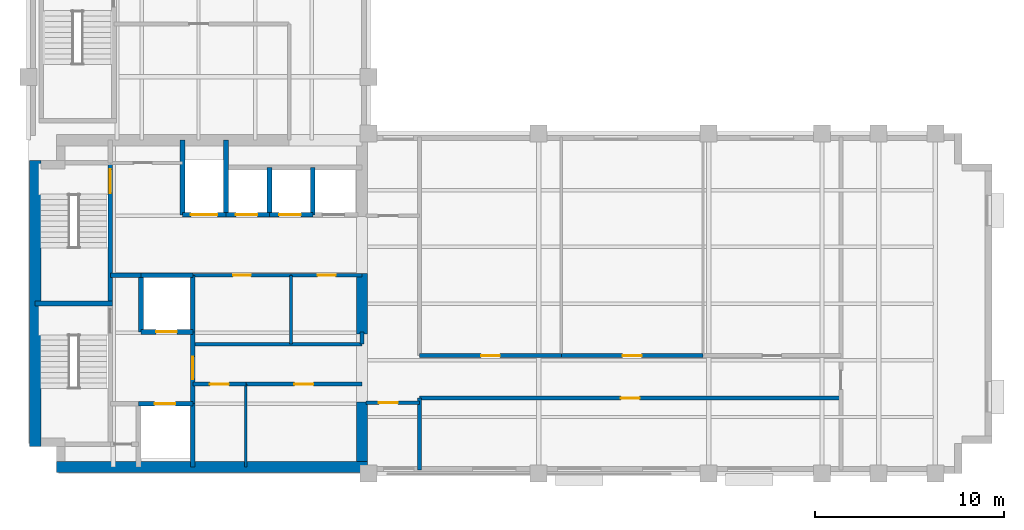
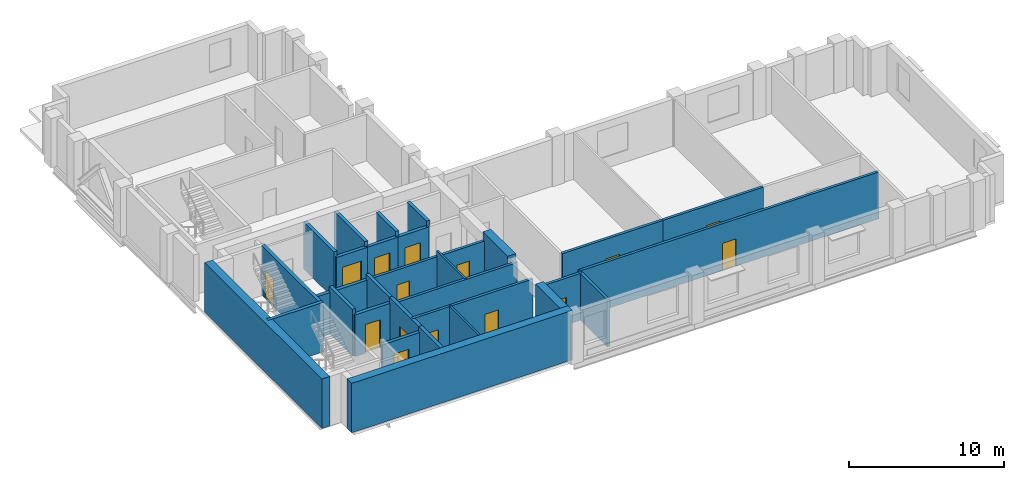
# One storey, part 3 of 6: 34 walls, 15 doors, 15 openings.
"""IFC4 building model written with IfcOpenShell, lengths in metres."""

from ifc_helpers import new_model, si_unit, direction, frame, frame_2d, origin, place, context, subcontext, project, spatial, rectangle, extrude, material, layer, layer_set, type_object, element, fill, save


model = new_model("IFC4")

# Units and contexts
model_context = context("Model", 3, precision=1e-05, world=origin(), true_north=direction((0.0, 1.0)))
body_context = subcontext(model_context, "Body", "Model", "MODEL_VIEW")
ifc_project = project(units=[si_unit("LENGTHUNIT", "METRE"), si_unit("AREAUNIT", "SQUARE_METRE"), si_unit("VOLUMEUNIT", "CUBIC_METRE"), si_unit("PLANEANGLEUNIT", "RADIAN"), si_unit("MASSUNIT", "GRAM", prefix="KILO")], contexts=[model_context])

# Site, building, storey
site_placement = place(None, origin())
site = spatial("IfcSite", under=ifc_project, at=site_placement, CompositionType="ELEMENT")
building_placement = place(site_placement, origin())
building = spatial("IfcBuilding", under=site, at=building_placement, Name="Mawjdan Bourse Tower", CompositionType="ELEMENT")
storey_placement = place(building_placement, frame((0.0, 0.0, 199.5)))
storey = spatial("IfcBuildingStorey", under=building, at=storey_placement, Name="L48", CompositionType="ELEMENT", Elevation=199.5)

# Wall, opening, door
ifc_material_1 = material(Name="Gypsum Fireboard Assembly")
ifc_layer_1 = layer(ifc_material_1, 0.199951171875)
ifc_layer_set_1 = layer_set([ifc_layer_1], Name="Gypsum Fireboard Assembly")
wall_type_1 = type_object("IfcWallType", Name="WL-CMP-200", PredefinedType="PARTITIONING", material=ifc_layer_set_1)
wall_1_placement = place(storey_placement, frame((14.699951171875, 7.739990234375, 0.0), z_axis=(0.0, 0.0, 1.0), x_axis=(1.0, 0.0, 0.0)))
wall_1 = element("IfcWall", 1, at=wall_1_placement, inside=storey, type_object=wall_type_1, Name="L48 First Aid & Wellness Room North Wall", PredefinedType="PARTITIONING", context=body_context, shape_type="SweptSolid", body=[
    extrude(rectangle(XDim=2.800048828125, YDim=0.199951171875, at=frame_2d((1.39990234375, 0.0))), origin(), (0.0, 0.0, 1.0), 3.68994140625),
])
opening_1_placement = place(wall_1_placement, frame((0.89990234375, 0.0, 0.0)))
opening_1 = element("IfcOpeningElement", 2, at=opening_1_placement, cuts=wall_1, Name="Opening D-L48-13", PredefinedType="OPENING", context=body_context, shape_type="SweptSolid", body=[
    extrude(rectangle(XDim=1.0, YDim=2.14990234375, at=frame_2d((0.5, 1.074951171875))), frame((0.0, 0.10986328125, 0.0), z_axis=(0.0, -1.0, 0.0), x_axis=(1.0, 0.0, 0.0)), (0.0, 0.0, 1.0), 0.219970703125),
])
ifc_material_2 = material(Name="Hardwood Acoustic Leaf", Category="wood")
door_type_1 = type_object("IfcDoorType", Name="DR-OFC-1000", OperationType="NOTDEFINED", PredefinedType="DOOR", material=ifc_material_2)
door_1_placement = place(opening_1_placement, origin())
door_1 = element("IfcDoor", 3, at=door_1_placement, inside=storey, type_object=door_type_1, Name="L48 First Aid & Wellness Room Door D-L48-13", OperationType="SINGLE_SWING_LEFT", OverallHeight=2.14990234375, OverallWidth=1.0, PredefinedType="DOOR", context=body_context, shape_type="SweptSolid", body=[
    extrude(rectangle(XDim=1.0, YDim=2.14990234375, at=frame_2d((0.5, 1.074951171875))), frame((0.0, 0.02490234375, 0.0), z_axis=(0.0, -1.0, 0.0), x_axis=(1.0, 0.0, 0.0)), (0.0, 0.0, 1.0), 0.050048828125),
])
fill(opening_1, door_1)

wall_2_placement = place(storey_placement, frame((17.5, 7.739990234375, 0.0), z_axis=(0.0, 0.0, 1.0), x_axis=(1.0, 0.0, 0.0)))
wall_2 = element("IfcWall", 4, at=wall_2_placement, inside=storey, type_object=wall_type_1, Name="L48 Reprographics & Pantry Suite North Wall", PredefinedType="PARTITIONING", context=body_context, shape_type="SweptSolid", body=[
    extrude(rectangle(XDim=6.14990234375, YDim=0.199951171875, at=frame_2d((3.074951171875, 0.0))), origin(), (0.0, 0.0, 1.0), 3.68994140625),
])
opening_2_placement = place(wall_2_placement, frame((2.574951171875, 0.0, 0.0)))
opening_2 = element("IfcOpeningElement", 5, at=opening_2_placement, cuts=wall_2, Name="Opening D-L48-14", PredefinedType="OPENING", context=body_context, shape_type="SweptSolid", body=[
    extrude(rectangle(XDim=1.0, YDim=2.14990234375, at=frame_2d((0.5, 1.074951171875))), frame((0.0, 0.10986328125, 0.0), z_axis=(0.0, -1.0, 0.0), x_axis=(1.0, 0.0, 0.0)), (0.0, 0.0, 1.0), 0.219970703125),
])
door_2_placement = place(opening_2_placement, origin())
door_2 = element("IfcDoor", 6, at=door_2_placement, inside=storey, type_object=door_type_1, Name="L48 Reprographics & Pantry Suite Door D-L48-14", OperationType="SINGLE_SWING_RIGHT", OverallHeight=2.14990234375, OverallWidth=1.0, PredefinedType="DOOR", context=body_context, shape_type="SweptSolid", body=[
    extrude(rectangle(XDim=1.0, YDim=2.14990234375, at=frame_2d((0.5, 1.074951171875))), frame((0.0, 0.02490234375, 0.0), z_axis=(0.0, -1.0, 0.0), x_axis=(1.0, 0.0, 0.0)), (0.0, 0.0, 1.0), 0.050048828125),
])
fill(opening_2, door_2)

# Walls
wall_3_placement = place(storey_placement, frame((14.824951171875, 9.85009765625, 0.0), z_axis=(0.0, 0.0, 1.0), x_axis=(1.0, 0.0, 0.0)))
element("IfcWall", 7, at=wall_3_placement, inside=storey, type_object=wall_type_1, Name="L48 Core Restroom Suite South Wall", PredefinedType="PARTITIONING", context=body_context, shape_type="SweptSolid", body=[
    extrude(rectangle(XDim=8.824951171875, YDim=0.199951171875, at=frame_2d((4.41259765625, 0.0))), origin(), (0.0, 0.0, 1.0), 3.68994140625),
])
wall_4_placement = place(storey_placement, frame((23.64990234375, 9.85009765625, 0.0), z_axis=(0.0, 0.0, 1.0), x_axis=(0.0, 1.0, 0.0)))
element("IfcWall", 8, at=wall_4_placement, inside=storey, type_object=wall_type_1, Name="L48 Core Restroom East Return", PredefinedType="PARTITIONING", context=body_context, shape_type="SweptSolid", body=[
    extrude(rectangle(XDim=0.64990234375, YDim=0.199951171875, at=frame_2d((0.324951171875, 0.0))), origin(), (0.0, 0.0, 1.0), 3.68994140625),
])

# Wall, opening, door
wall_5_placement = place(storey_placement, frame((14.699951171875, 13.5, 0.0), z_axis=(0.0, 0.0, 1.0), x_axis=(1.0, 0.0, 0.0)))
wall_5 = element("IfcWall", 9, at=wall_5_placement, inside=storey, type_object=wall_type_1, Name="L48 Male Restroom North Wall", PredefinedType="PARTITIONING", context=body_context, shape_type="SweptSolid", body=[
    extrude(rectangle(XDim=5.199951171875, YDim=0.199951171875, at=frame_2d((2.60009765625, 0.0))), origin(), (0.0, 0.0, 1.0), 3.282958984375),
])
opening_3_placement = place(wall_5_placement, frame((2.125, 0.0, 0.0)))
opening_3 = element("IfcOpeningElement", 10, at=opening_3_placement, cuts=wall_5, Name="Opening D-L48-15", PredefinedType="OPENING", context=body_context, shape_type="SweptSolid", body=[
    extrude(rectangle(XDim=0.949951171875, YDim=2.10009765625, at=frame_2d((0.47509765625, 1.050048828125))), frame((0.0, 0.10986328125, 0.0), z_axis=(0.0, -1.0, 0.0), x_axis=(1.0, 0.0, 0.0)), (0.0, 0.0, 1.0), 0.219970703125),
])
ifc_material_3 = material(Name="Moisture-Resistant Laminate Timber", Category="wood")
door_type_2 = type_object("IfcDoorType", Name="DR-WET-0950", OperationType="NOTDEFINED", PredefinedType="DOOR", material=ifc_material_3)
door_3_placement = place(opening_3_placement, origin())
door_3 = element("IfcDoor", 11, at=door_3_placement, inside=storey, type_object=door_type_2, Name="L48 Male Restroom Door D-L48-15", OperationType="SINGLE_SWING_LEFT", OverallHeight=2.10009765625, OverallWidth=0.949951171875, PredefinedType="DOOR", context=body_context, shape_type="SweptSolid", body=[
    extrude(rectangle(XDim=0.949951171875, YDim=2.10009765625, at=frame_2d((0.47509765625, 1.050048828125))), frame((0.0, 0.02490234375, 0.0), z_axis=(0.0, -1.0, 0.0), x_axis=(1.0, 0.0, 0.0)), (0.0, 0.0, 1.0), 0.050048828125),
])
fill(opening_3, door_3)

wall_6_placement = place(storey_placement, frame((19.89990234375, 13.5, 0.0), z_axis=(0.0, 0.0, 1.0), x_axis=(1.0, 0.0, 0.0)))
wall_6 = element("IfcWall", 12, at=wall_6_placement, inside=storey, type_object=wall_type_1, Name="L48 Accessible WC North Wall", PredefinedType="PARTITIONING", context=body_context, shape_type="SweptSolid", body=[
    extrude(rectangle(XDim=3.75, YDim=0.199951171875, at=frame_2d((1.875, 0.0))), origin(), (0.0, 0.0, 1.0), 3.282958984375),
])
opening_4_placement = place(wall_6_placement, frame((1.39990234375, 0.0, 0.0)))
opening_4 = element("IfcOpeningElement", 13, at=opening_4_placement, cuts=wall_6, Name="Opening D-L48-16", PredefinedType="OPENING", context=body_context, shape_type="SweptSolid", body=[
    extrude(rectangle(XDim=0.949951171875, YDim=2.10009765625, at=frame_2d((0.47509765625, 1.050048828125))), frame((0.0, 0.10986328125, 0.0), z_axis=(0.0, -1.0, 0.0), x_axis=(1.0, 0.0, 0.0)), (0.0, 0.0, 1.0), 0.219970703125),
])
door_4_placement = place(opening_4_placement, origin())
door_4 = element("IfcDoor", 14, at=door_4_placement, inside=storey, type_object=door_type_2, Name="L48 Accessible WC Door D-L48-16", OperationType="SINGLE_SWING_RIGHT", OverallHeight=2.10009765625, OverallWidth=0.949951171875, PredefinedType="DOOR", context=body_context, shape_type="SweptSolid", body=[
    extrude(rectangle(XDim=0.949951171875, YDim=2.10009765625, at=frame_2d((0.47509765625, 1.050048828125))), frame((0.0, 0.02490234375, 0.0), z_axis=(0.0, -1.0, 0.0), x_axis=(1.0, 0.0, 0.0)), (0.0, 0.0, 1.0), 0.050048828125),
])
fill(opening_4, door_4)

wall_7_placement = place(storey_placement, frame((23.85009765625, 6.75, 0.0), z_axis=(0.0, 0.0, 1.0), x_axis=(1.0, 0.0, 0.0)))
wall_7 = element("IfcWall", 15, at=wall_7_placement, inside=storey, type_object=wall_type_1, Name="L48 West Pocket North Wall", PredefinedType="PARTITIONING", context=body_context, shape_type="SweptSolid", body=[
    extrude(rectangle(XDim=2.849853515625, YDim=0.199951171875, at=frame_2d((1.4248046875, 0.0))), origin(), (0.0, 0.0, 1.0), 3.68994140625),
])
opening_5_placement = place(wall_7_placement, frame((0.699951171875, 0.0, 0.0)))
opening_5 = element("IfcOpeningElement", 16, at=opening_5_placement, cuts=wall_7, Name="Opening D-L48-19", PredefinedType="OPENING", context=body_context, shape_type="SweptSolid", body=[
    extrude(rectangle(XDim=1.0, YDim=2.14990234375, at=frame_2d((0.5, 1.074951171875))), frame((0.0, 0.10986328125, 0.0), z_axis=(0.0, -1.0, 0.0), x_axis=(1.0, 0.0, 0.0)), (0.0, 0.0, 1.0), 0.219970703125),
])
door_5_placement = place(opening_5_placement, origin())
door_5 = element("IfcDoor", 17, at=door_5_placement, inside=storey, type_object=door_type_1, Name="L48 West Pocket Office Door D-L48-19", OperationType="SINGLE_SWING_LEFT", OverallHeight=2.14990234375, OverallWidth=1.0, PredefinedType="DOOR", context=body_context, shape_type="SweptSolid", body=[
    extrude(rectangle(XDim=1.0, YDim=2.14990234375, at=frame_2d((0.5, 1.074951171875))), frame((0.0, 0.02490234375, 0.0), z_axis=(0.0, -1.0, 0.0), x_axis=(1.0, 0.0, 0.0)), (0.0, 0.0, 1.0), 0.050048828125),
])
fill(opening_5, door_5)

# Wall
wall_8_placement = place(storey_placement, frame((26.699951171875, 3.179931640625, 0.0), z_axis=(0.0, 0.0, 1.0), x_axis=(0.0, 1.0, 0.0)))
element("IfcWall", 18, at=wall_8_placement, inside=storey, type_object=wall_type_1, Name="L48 Vestibule South East Wall", PredefinedType="PARTITIONING", context=body_context, shape_type="SweptSolid", body=[
    extrude(rectangle(XDim=3.820068359375, YDim=0.199951171875, at=frame_2d((1.91015625, 0.0))), origin(), (0.0, 0.0, 1.0), 3.68994140625),
])

# Wall, opening, door
wall_9_placement = place(storey_placement, frame((26.699951171875, 7.0, 0.0), z_axis=(0.0, 0.0, 1.0), x_axis=(1.0, 0.0, 0.0)))
wall_9 = element("IfcWall", 19, at=wall_9_placement, inside=storey, type_object=wall_type_1, Name="L48 Document Archive Store Corridor Wall", PredefinedType="PARTITIONING", context=body_context, shape_type="SweptSolid", body=[
    extrude(rectangle(XDim=22.300048828125, YDim=0.199951171875, at=frame_2d((11.14990234375, 0.0))), origin(), (0.0, 0.0, 1.0), 3.68994140625),
])
opening_6_placement = place(wall_9_placement, frame((10.64990234375, 0.0, 0.0)))
opening_6 = element("IfcOpeningElement", 20, at=opening_6_placement, cuts=wall_9, Name="Opening D-L48-21", PredefinedType="OPENING", context=body_context, shape_type="SweptSolid", body=[
    extrude(rectangle(XDim=1.0, YDim=2.14990234375, at=frame_2d((0.5, 1.074951171875))), frame((0.0, 0.10986328125, 0.0), z_axis=(0.0, -1.0, 0.0), x_axis=(1.0, 0.0, 0.0)), (0.0, 0.0, 1.0), 0.219970703125),
])
door_6_placement = place(opening_6_placement, origin())
door_6 = element("IfcDoor", 21, at=door_6_placement, inside=storey, type_object=door_type_1, Name="L48 Document Archive Store Door D-L48-21", OperationType="SINGLE_SWING_LEFT", OverallHeight=2.14990234375, OverallWidth=1.0, PredefinedType="DOOR", context=body_context, shape_type="SweptSolid", body=[
    extrude(rectangle(XDim=1.0, YDim=2.14990234375, at=frame_2d((0.5, 1.074951171875))), frame((0.0, 0.02490234375, 0.0), z_axis=(0.0, -1.0, 0.0), x_axis=(1.0, 0.0, 0.0)), (0.0, 0.0, 1.0), 0.050048828125),
])
fill(opening_6, door_6)

wall_10_placement = place(storey_placement, frame((26.699951171875, 9.25, 0.0), z_axis=(0.0, 0.0, 1.0), x_axis=(1.0, 0.0, 0.0)))
wall_10 = element("IfcWall", 22, at=wall_10_placement, inside=storey, type_object=wall_type_1, Name="L48 Executive Office Corridor Wall", PredefinedType="PARTITIONING", context=body_context, shape_type="SweptSolid", body=[
    extrude(rectangle(XDim=7.5, YDim=0.199951171875, at=frame_2d((3.75, 0.0))), origin(), (0.0, 0.0, 1.0), 3.68994140625),
])
opening_7_placement = place(wall_10_placement, frame((3.25, 0.0, 0.0)))
opening_7 = element("IfcOpeningElement", 23, at=opening_7_placement, cuts=wall_10, Name="Opening D-L48-22", PredefinedType="OPENING", context=body_context, shape_type="SweptSolid", body=[
    extrude(rectangle(XDim=1.0, YDim=2.14990234375, at=frame_2d((0.5, 1.074951171875))), frame((0.0, 0.10986328125, 0.0), z_axis=(0.0, -1.0, 0.0), x_axis=(1.0, 0.0, 0.0)), (0.0, 0.0, 1.0), 0.219970703125),
])
door_7_placement = place(opening_7_placement, origin())
door_7 = element("IfcDoor", 24, at=door_7_placement, inside=storey, type_object=door_type_1, Name="L48 Executive Office Door D-L48-22", OperationType="SINGLE_SWING_RIGHT", OverallHeight=2.14990234375, OverallWidth=1.0, PredefinedType="DOOR", context=body_context, shape_type="SweptSolid", body=[
    extrude(rectangle(XDim=1.0, YDim=2.14990234375, at=frame_2d((0.5, 1.074951171875))), frame((0.0, 0.02490234375, 0.0), z_axis=(0.0, -1.0, 0.0), x_axis=(1.0, 0.0, 0.0)), (0.0, 0.0, 1.0), 0.050048828125),
])
fill(opening_7, door_7)

wall_11_placement = place(storey_placement, frame((34.199951171875, 9.25, 0.0), z_axis=(0.0, 0.0, 1.0), x_axis=(1.0, 0.0, 0.0)))
wall_11 = element("IfcWall", 25, at=wall_11_placement, inside=storey, type_object=wall_type_1, Name="L48 Treasury Office Corridor Wall", PredefinedType="PARTITIONING", context=body_context, shape_type="SweptSolid", body=[
    extrude(rectangle(XDim=7.5, YDim=0.199951171875, at=frame_2d((3.75, 0.0))), origin(), (0.0, 0.0, 1.0), 3.68994140625),
])
opening_8_placement = place(wall_11_placement, frame((3.25, 0.0, 0.0)))
opening_8 = element("IfcOpeningElement", 26, at=opening_8_placement, cuts=wall_11, Name="Opening D-L48-23", PredefinedType="OPENING", context=body_context, shape_type="SweptSolid", body=[
    extrude(rectangle(XDim=1.0, YDim=2.14990234375, at=frame_2d((0.5, 1.074951171875))), frame((0.0, 0.10986328125, 0.0), z_axis=(0.0, -1.0, 0.0), x_axis=(1.0, 0.0, 0.0)), (0.0, 0.0, 1.0), 0.219970703125),
])
door_8_placement = place(opening_8_placement, origin())
door_8 = element("IfcDoor", 27, at=door_8_placement, inside=storey, type_object=door_type_1, Name="L48 Treasury Office Door D-L48-23", OperationType="SINGLE_SWING_LEFT", OverallHeight=2.14990234375, OverallWidth=1.0, PredefinedType="DOOR", context=body_context, shape_type="SweptSolid", body=[
    extrude(rectangle(XDim=1.0, YDim=2.14990234375, at=frame_2d((0.5, 1.074951171875))), frame((0.0, 0.02490234375, 0.0), z_axis=(0.0, -1.0, 0.0), x_axis=(1.0, 0.0, 0.0)), (0.0, 0.0, 1.0), 0.050048828125),
])
fill(opening_8, door_8)

# Walls
ifc_material_4 = material(Name="Concrete C70/85", Category="concrete")
ifc_layer_2 = layer(ifc_material_4, 0.60009765625)
ifc_layer_set_2 = layer_set([ifc_layer_2], Name="Concrete C70/85")
wall_type_2 = type_object("IfcWallType", Name="WL-CORE-600", PredefinedType="SHEAR", material=ifc_layer_set_2)
wall_12_placement = place(storey_placement, frame((7.47509765625, 3.35009765625, 0.0), z_axis=(0.0, 0.0, 1.0), x_axis=(1.0, 0.0, 0.0)))
element("IfcWall", 28, at=wall_12_placement, inside=storey, type_object=wall_type_2, Name="L48 Rear Core Shear Wall S", PredefinedType="SHEAR", context=body_context, shape_type="SweptSolid", body=[
    extrude(rectangle(XDim=16.474853515625, YDim=0.60009765625, at=frame_2d((8.2373046875, 0.0))), origin(), (0.0, 0.0, 1.0), 3.89990234375),
])
wall_13_placement = place(storey_placement, frame((6.35009765625, 4.425048828125, 0.0), z_axis=(0.0, 0.0, 1.0), x_axis=(0.0, 1.0, 0.0)))
element("IfcWall", 29, at=wall_13_placement, inside=storey, type_object=wall_type_2, Name="L48 Rear Core Shear Wall W", PredefinedType="SHEAR", context=body_context, shape_type="SweptSolid", body=[
    extrude(rectangle(XDim=15.14990234375, YDim=0.60009765625, at=frame_2d((7.574951171875, 0.0))), origin(), (0.0, 0.0, 1.0), 3.89990234375),
])
wall_14_placement = place(storey_placement, frame((23.64990234375, 3.64990234375, 0.0), z_axis=(0.0, 0.0, 1.0), x_axis=(0.0, 1.0, 0.0)))
element("IfcWall", 30, at=wall_14_placement, inside=storey, type_object=wall_type_2, Name="L48 Rear Core Shear Wall E1", PredefinedType="SHEAR", context=body_context, shape_type="SweptSolid", body=[
    extrude(rectangle(XDim=3.150146484375, YDim=0.60009765625, at=frame_2d((1.5751953125, 0.0))), origin(), (0.0, 0.0, 1.0), 3.89990234375),
])
wall_15_placement = place(storey_placement, frame((23.64990234375, 10.39990234375, 0.0), z_axis=(0.0, 0.0, 1.0), x_axis=(0.0, 1.0, 0.0)))
element("IfcWall", 31, at=wall_15_placement, inside=storey, type_object=wall_type_2, Name="L48 Rear Core Shear Wall E2", PredefinedType="SHEAR", context=body_context, shape_type="SweptSolid", body=[
    extrude(rectangle(XDim=3.2001953125, YDim=0.60009765625, at=frame_2d((1.60009765625, 0.0))), origin(), (0.0, 0.0, 1.0), 3.89990234375),
])
ifc_material_5 = material(Name="Gypsum Acoustic Partition")
ifc_layer_3 = layer(ifc_material_5, 0.14990234375)
ifc_layer_set_3 = layer_set([ifc_layer_3], Name="Gypsum Acoustic Partition")
wall_type_3 = type_object("IfcWallType", Name="WL-PRT-150", PredefinedType="PARTITIONING", material=ifc_layer_set_3)
wall_16_placement = place(storey_placement, frame((17.5, 3.35009765625, 0.0), z_axis=(0.0, 0.0, 1.0), x_axis=(0.0, 1.0, 0.0)))
element("IfcWall", 32, at=wall_16_placement, inside=storey, type_object=wall_type_3, Name="L48 Reprographics & Pantry Suite Core Split Wall", PredefinedType="PARTITIONING", context=body_context, shape_type="SweptSolid", body=[
    extrude(rectangle(XDim=4.389892578125, YDim=0.14990234375, at=frame_2d((2.19482421875, 0.0))), origin(), (0.0, 0.0, 1.0), 3.68994140625),
])
wall_17_placement = place(storey_placement, frame((19.89990234375, 9.85009765625, 0.0), z_axis=(0.0, 0.0, 1.0), x_axis=(0.0, 1.0, 0.0)))
element("IfcWall", 33, at=wall_17_placement, inside=storey, type_object=wall_type_3, Name="L48 Accessible WC Split Wall", PredefinedType="PARTITIONING", context=body_context, shape_type="SweptSolid", body=[
    extrude(rectangle(XDim=3.64990234375, YDim=0.14990234375, at=frame_2d((1.824951171875, 0.0))), origin(), (0.0, 0.0, 1.0), 3.68994140625),
])

# Wall, opening, door
ifc_material_6 = material(Name="Concrete C50/60", Category="concrete")
ifc_layer_4 = layer(ifc_material_6, 0.25)
ifc_layer_set_4 = layer_set([ifc_layer_4], Name="Concrete C50/60")
wall_type_4 = type_object("IfcWallType", Name="WL-SHFT-250", PredefinedType="PARTITIONING", material=ifc_layer_set_4)
wall_18_placement = place(storey_placement, frame((11.820068359375, 6.699951171875, 0.0), z_axis=(0.0, 0.0, 1.0), x_axis=(1.0, 0.0, 0.0)))
wall_18 = element("IfcWall", 34, at=wall_18_placement, inside=storey, type_object=wall_type_4, Name="L48 FFL-01 Front Shaft Wall", PredefinedType="PARTITIONING", context=body_context, shape_type="SweptSolid", body=[
    extrude(rectangle(XDim=2.8798828125, YDim=0.25, at=frame_2d((1.43994140625, 0.0))), origin(), (0.0, 0.0, 1.0), 3.282958984375),
])
opening_9_placement = place(wall_18_placement, frame((0.85009765625, 0.0, 0.0)))
opening_9 = element("IfcOpeningElement", 35, at=opening_9_placement, cuts=wall_18, Name="Opening LD-L48-05", PredefinedType="OPENING", context=body_context, shape_type="SweptSolid", body=[
    extrude(rectangle(XDim=1.10009765625, YDim=2.25, at=frame_2d((0.550048828125, 1.125))), frame((0.0, 0.135009765625, 0.0), z_axis=(0.0, -1.0, 0.0), x_axis=(1.0, 0.0, 0.0)), (0.0, 0.0, 1.0), 0.27001953125),
])
ifc_material_7 = material(Name="Brushed Stainless Steel", Category="steel")
door_type_3 = type_object("IfcDoorType", Name="LD-FFL-1100", OperationType="DOUBLE_DOOR_SLIDING", PredefinedType="DOOR", material=ifc_material_7)
door_9_placement = place(opening_9_placement, origin())
door_9 = element("IfcDoor", 36, at=door_9_placement, inside=storey, type_object=door_type_3, Name="L48 Firefighting Lift FFL-01 Landing Door LD-L48-05", OperationType="DOUBLE_DOOR_SLIDING", OverallHeight=2.25, OverallWidth=1.10009765625, PredefinedType="DOOR", context=body_context, shape_type="SweptSolid", body=[
    extrude(rectangle(XDim=1.10009765625, YDim=2.25, at=frame_2d((0.550048828125, 1.125))), frame((0.0, 0.02490234375, 0.0), z_axis=(0.0, -1.0, 0.0), x_axis=(1.0, 0.0, 0.0)), (0.0, 0.0, 1.0), 0.050048828125),
])
fill(opening_9, door_9)

# Wall
wall_19_placement = place(storey_placement, frame((14.699951171875, 3.35009765625, 0.0), z_axis=(0.0, 0.0, 1.0), x_axis=(0.0, 1.0, 0.0)))
element("IfcWall", 37, at=wall_19_placement, inside=storey, type_object=wall_type_4, Name="L48 FFL-01 East Shaft Wall", PredefinedType="PARTITIONING", context=body_context, shape_type="SweptSolid", body=[
    extrude(rectangle(XDim=3.349853515625, YDim=0.25, at=frame_2d((1.6748046875, 0.0))), origin(), (0.0, 0.0, 1.0), 3.68994140625),
])

# Wall, opening, door
wall_20_placement = place(storey_placement, frame((11.949951171875, 10.5, 0.0), z_axis=(0.0, 0.0, 1.0), x_axis=(1.0, 0.0, 0.0)))
wall_20 = element("IfcWall", 38, at=wall_20_placement, inside=storey, type_object=wall_type_4, Name="L48 FFL-02 Front Shaft Wall", PredefinedType="PARTITIONING", context=body_context, shape_type="SweptSolid", body=[
    extrude(rectangle(XDim=2.75, YDim=0.25, at=frame_2d((1.375, 0.0))), origin(), (0.0, 0.0, 1.0), 3.282958984375),
])
opening_10_placement = place(wall_20_placement, frame((0.800048828125, 0.0, 0.0)))
opening_10 = element("IfcOpeningElement", 39, at=opening_10_placement, cuts=wall_20, Name="Opening LD-L48-06", PredefinedType="OPENING", context=body_context, shape_type="SweptSolid", body=[
    extrude(rectangle(XDim=1.10009765625, YDim=2.25, at=frame_2d((0.550048828125, 1.125))), frame((0.0, 0.135009765625, 0.0), z_axis=(0.0, -1.0, 0.0), x_axis=(1.0, 0.0, 0.0)), (0.0, 0.0, 1.0), 0.27001953125),
])
door_10_placement = place(opening_10_placement, origin())
door_10 = element("IfcDoor", 40, at=door_10_placement, inside=storey, type_object=door_type_3, Name="L48 Firefighting Lift FFL-02 Landing Door LD-L48-06", OperationType="DOUBLE_DOOR_SLIDING", OverallHeight=2.25, OverallWidth=1.10009765625, PredefinedType="DOOR", context=body_context, shape_type="SweptSolid", body=[
    extrude(rectangle(XDim=1.10009765625, YDim=2.25, at=frame_2d((0.550048828125, 1.125))), frame((0.0, 0.02490234375, 0.0), z_axis=(0.0, -1.0, 0.0), x_axis=(1.0, 0.0, 0.0)), (0.0, 0.0, 1.0), 0.050048828125),
])
fill(opening_10, door_10)

# Walls
wall_21_placement = place(storey_placement, frame((11.949951171875, 10.5, 0.0), z_axis=(0.0, 0.0, 1.0), x_axis=(0.0, 1.0, 0.0)))
element("IfcWall", 41, at=wall_21_placement, inside=storey, type_object=wall_type_4, Name="L48 FFL-02 West Shaft Wall", PredefinedType="PARTITIONING", context=body_context, shape_type="SweptSolid", body=[
    extrude(rectangle(XDim=3.0, YDim=0.25, at=frame_2d((1.5, 0.0))), origin(), (0.0, 0.0, 1.0), 3.68994140625),
])
wall_22_placement = place(storey_placement, frame((11.949951171875, 13.5, 0.0), z_axis=(0.0, 0.0, 1.0), x_axis=(1.0, 0.0, 0.0)))
element("IfcWall", 42, at=wall_22_placement, inside=storey, type_object=wall_type_4, Name="L48 FFL-02 North Shaft Wall", PredefinedType="PARTITIONING", context=body_context, shape_type="SweptSolid", body=[
    extrude(rectangle(XDim=2.75, YDim=0.25, at=frame_2d((1.375, 0.0))), origin(), (0.0, 0.0, 1.0), 3.282958984375),
])
wall_23_placement = place(storey_placement, frame((14.699951171875, 10.5, 0.0), z_axis=(0.0, 0.0, 1.0), x_axis=(0.0, 1.0, 0.0)))
element("IfcWall", 43, at=wall_23_placement, inside=storey, type_object=wall_type_4, Name="L48 FFL-02 East Shaft Wall", PredefinedType="PARTITIONING", context=body_context, shape_type="SweptSolid", body=[
    extrude(rectangle(XDim=3.0, YDim=0.25, at=frame_2d((1.5, 0.0))), origin(), (0.0, 0.0, 1.0), 3.68994140625),
])

# Wall, opening, door
wall_24_placement = place(storey_placement, frame((14.699951171875, 6.699951171875, 0.0), z_axis=(0.0, 0.0, 1.0), x_axis=(0.0, 1.0, 0.0)))
wall_24 = element("IfcWall", 44, at=wall_24_placement, inside=storey, type_object=wall_type_4, Name="L48 Firefighting Lobby East Compartment Wall", PredefinedType="PARTITIONING", context=body_context, shape_type="SweptSolid", body=[
    extrude(rectangle(XDim=3.800048828125, YDim=0.25, at=frame_2d((1.89990234375, 0.0))), origin(), (0.0, 0.0, 1.0), 3.68994140625),
])
opening_11_placement = place(wall_24_placement, frame((1.300048828125, 0.0, 0.0)))
opening_11 = element("IfcOpeningElement", 45, at=opening_11_placement, cuts=wall_24, Name="Opening FD-L48-07", PredefinedType="OPENING", context=body_context, shape_type="SweptSolid", body=[
    extrude(rectangle(XDim=1.199951171875, YDim=2.199951171875, at=frame_2d((0.60009765625, 1.10009765625))), frame((0.0, 0.135009765625, 0.0), z_axis=(0.0, -1.0, 0.0), x_axis=(1.0, 0.0, 0.0)), (0.0, 0.0, 1.0), 0.27001953125),
])
ifc_material_8 = material(Name="Fire-Rated Steel Leaf", Category="steel")
door_type_4 = type_object("IfcDoorType", Name="FD-FFL-1200", OperationType="NOTDEFINED", PredefinedType="DOOR", material=ifc_material_8)
door_11_placement = place(opening_11_placement, origin())
door_11 = element("IfcDoor", 46, at=door_11_placement, inside=storey, type_object=door_type_4, Name="L48 Firefighting Lobby East Smoke Door FD-L48-07", OperationType="SINGLE_SWING_LEFT", OverallHeight=2.199951171875, OverallWidth=1.199951171875, PredefinedType="DOOR", context=body_context, shape_type="SweptSolid", body=[
    extrude(rectangle(XDim=1.199951171875, YDim=2.199951171875, at=frame_2d((0.60009765625, 1.10009765625))), frame((0.0, 0.02490234375, 0.0), z_axis=(0.0, -1.0, 0.0), x_axis=(1.0, 0.0, 0.0)), (0.0, 0.0, 1.0), 0.050048828125),
])
fill(opening_11, door_11)

# Wall
wall_25_placement = place(storey_placement, frame((10.330078125, 13.5, 0.0), z_axis=(0.0, 0.0, 1.0), x_axis=(1.0, 0.0, 0.0)))
element("IfcWall", 47, at=wall_25_placement, inside=storey, type_object=wall_type_4, Name="L48 Firefighting Lobby North Compartment Wall", PredefinedType="PARTITIONING", context=body_context, shape_type="SweptSolid", body=[
    extrude(rectangle(XDim=1.619873046875, YDim=0.25, at=frame_2d((0.81005859375, 0.0))), origin(), (0.0, 0.0, 1.0), 3.282958984375),
])

# Wall, opening, door
wall_26_placement = place(storey_placement, frame((14.14990234375, 16.699951171875, 0.0), z_axis=(0.0, 0.0, 1.0), x_axis=(1.0, 0.0, 0.0)))
wall_26 = element("IfcWall", 48, at=wall_26_placement, inside=storey, type_object=wall_type_4, Name="L48 SVL-01 Front Shaft Wall", PredefinedType="PARTITIONING", context=body_context, shape_type="SweptSolid", body=[
    extrude(rectangle(XDim=2.300048828125, YDim=0.25, at=frame_2d((1.14990234375, 0.0))), origin(), (0.0, 0.0, 1.0), 3.282958984375),
])
opening_12_placement = place(wall_26_placement, frame((0.449951171875, 0.0, 0.0)))
opening_12 = element("IfcOpeningElement", 49, at=opening_12_placement, cuts=wall_26, Name="Opening LD-L48-09", PredefinedType="OPENING", context=body_context, shape_type="SweptSolid", body=[
    extrude(rectangle(XDim=1.39990234375, YDim=2.35009765625, at=frame_2d((0.699951171875, 1.175048828125))), frame((0.0, 0.135009765625, 0.0), z_axis=(0.0, -1.0, 0.0), x_axis=(1.0, 0.0, 0.0)), (0.0, 0.0, 1.0), 0.27001953125),
])
ifc_material_9 = material(Name="Heavy-Duty Stainless Steel", Category="steel")
door_type_5 = type_object("IfcDoorType", Name="LD-SRV-1400", OperationType="DOUBLE_DOOR_SLIDING", PredefinedType="DOOR", material=ifc_material_9)
door_12_placement = place(opening_12_placement, origin())
door_12 = element("IfcDoor", 50, at=door_12_placement, inside=storey, type_object=door_type_5, Name="L48 Service Lift SVL-01 Landing Door LD-L48-09", OperationType="DOUBLE_DOOR_SLIDING", OverallHeight=2.35009765625, OverallWidth=1.39990234375, PredefinedType="DOOR", context=body_context, shape_type="SweptSolid", body=[
    extrude(rectangle(XDim=1.39990234375, YDim=2.35009765625, at=frame_2d((0.699951171875, 1.175048828125))), frame((0.0, 0.02490234375, 0.0), z_axis=(0.0, -1.0, 0.0), x_axis=(1.0, 0.0, 0.0)), (0.0, 0.0, 1.0), 0.050048828125),
])
fill(opening_12, door_12)

# Walls
for number, where, z_axis, x_axis, name in (
    (51, (14.14990234375, 16.699951171875, 0.0), (0.0, 0.0, 1.0), (0.0, 1.0, 0.0), "L48 SVL-01 West Shaft Wall"),
    (52, (16.449951171875, 16.699951171875, 0.0), (0.0, 0.0, 1.0), (0.0, 1.0, 0.0), "L48 SVL-01 East Shaft Wall"),
):
    element("IfcWall", number, at=place(storey_placement, frame(where, z_axis=z_axis, x_axis=x_axis)), inside=storey, type_object=wall_type_4, Name=name, PredefinedType="PARTITIONING", context=body_context, shape_type="SweptSolid", body=[
        extrude(rectangle(XDim=3.949951171875, YDim=0.25, at=frame_2d((1.97509765625, 0.0))), origin(), (0.0, 0.0, 1.0), 3.68994140625),
    ])

# Wall, opening, door
wall_27_placement = place(storey_placement, frame((16.449951171875, 16.699951171875, 0.0), z_axis=(0.0, 0.0, 1.0), x_axis=(1.0, 0.0, 0.0)))
wall_27 = element("IfcWall", 53, at=wall_27_placement, inside=storey, type_object=wall_type_4, Name="L48 PH-01 Front Wall", PredefinedType="PARTITIONING", context=body_context, shape_type="SweptSolid", body=[
    extrude(rectangle(XDim=2.300048828125, YDim=0.25, at=frame_2d((1.14990234375, 0.0))), origin(), (0.0, 0.0, 1.0), 3.282958984375),
])
opening_13_placement = place(wall_27_placement, frame((0.52001953125, 0.0, 0.0)))
opening_13 = element("IfcOpeningElement", 54, at=opening_13_placement, cuts=wall_27, Name="Opening LD-L48-10", PredefinedType="OPENING", context=body_context, shape_type="SweptSolid", body=[
    extrude(rectangle(XDim=1.14990234375, YDim=2.25, at=frame_2d((0.574951171875, 1.125))), frame((0.0, 0.135009765625, 0.0), z_axis=(0.0, -1.0, 0.0), x_axis=(1.0, 0.0, 0.0)), (0.0, 0.0, 1.0), 0.27001953125),
])
door_type_6 = type_object("IfcDoorType", Name="LD-PAS-1150", OperationType="DOUBLE_DOOR_SLIDING", PredefinedType="DOOR", material=ifc_material_7)
door_13_placement = place(opening_13_placement, origin())
door_13 = element("IfcDoor", 55, at=door_13_placement, inside=storey, type_object=door_type_6, Name="L48 Lift PH-01 Landing Door LD-L48-10", OperationType="DOUBLE_DOOR_SLIDING", OverallHeight=2.25, OverallWidth=1.14990234375, PredefinedType="DOOR", context=body_context, shape_type="SweptSolid", body=[
    extrude(rectangle(XDim=1.14990234375, YDim=2.25, at=frame_2d((0.574951171875, 1.125))), frame((0.0, 0.02490234375, 0.0), z_axis=(0.0, -1.0, 0.0), x_axis=(1.0, 0.0, 0.0)), (0.0, 0.0, 1.0), 0.050048828125),
])
fill(opening_13, door_13)

# Wall
wall_28_placement = place(storey_placement, frame((18.75, 16.699951171875, 0.0), z_axis=(0.0, 0.0, 1.0), x_axis=(0.0, 1.0, 0.0)))
element("IfcWall", 56, at=wall_28_placement, inside=storey, type_object=wall_type_4, Name="L48 PH-01 Divider Wall", PredefinedType="PARTITIONING", context=body_context, shape_type="SweptSolid", body=[
    extrude(rectangle(XDim=2.5, YDim=0.25, at=frame_2d((1.25, 0.0))), origin(), (0.0, 0.0, 1.0), 3.68994140625),
])

# Wall, opening, door
wall_29_placement = place(storey_placement, frame((18.75, 16.699951171875, 0.0), z_axis=(0.0, 0.0, 1.0), x_axis=(1.0, 0.0, 0.0)))
wall_29 = element("IfcWall", 57, at=wall_29_placement, inside=storey, type_object=wall_type_4, Name="L48 PH-02 Front Wall", PredefinedType="PARTITIONING", context=body_context, shape_type="SweptSolid", body=[
    extrude(rectangle(XDim=2.300048828125, YDim=0.25, at=frame_2d((1.14990234375, 0.0))), origin(), (0.0, 0.0, 1.0), 3.282958984375),
])
opening_14_placement = place(wall_29_placement, frame((0.52001953125, 0.0, 0.0)))
opening_14 = element("IfcOpeningElement", 58, at=opening_14_placement, cuts=wall_29, Name="Opening LD-L48-11", PredefinedType="OPENING", context=body_context, shape_type="SweptSolid", body=[
    extrude(rectangle(XDim=1.14990234375, YDim=2.25, at=frame_2d((0.574951171875, 1.125))), frame((0.0, 0.135009765625, 0.0), z_axis=(0.0, -1.0, 0.0), x_axis=(1.0, 0.0, 0.0)), (0.0, 0.0, 1.0), 0.27001953125),
])
door_14_placement = place(opening_14_placement, origin())
door_14 = element("IfcDoor", 59, at=door_14_placement, inside=storey, type_object=door_type_6, Name="L48 Lift PH-02 Landing Door LD-L48-11", OperationType="DOUBLE_DOOR_SLIDING", OverallHeight=2.25, OverallWidth=1.14990234375, PredefinedType="DOOR", context=body_context, shape_type="SweptSolid", body=[
    extrude(rectangle(XDim=1.14990234375, YDim=2.25, at=frame_2d((0.574951171875, 1.125))), frame((0.0, 0.02490234375, 0.0), z_axis=(0.0, -1.0, 0.0), x_axis=(1.0, 0.0, 0.0)), (0.0, 0.0, 1.0), 0.050048828125),
])
fill(opening_14, door_14)

# Walls
wall_30_placement = place(storey_placement, frame((21.050048828125, 16.699951171875, 0.0), z_axis=(0.0, 0.0, 1.0), x_axis=(0.0, 1.0, 0.0)))
element("IfcWall", 60, at=wall_30_placement, inside=storey, type_object=wall_type_4, Name="L48 PH-02 Divider Wall", PredefinedType="PARTITIONING", context=body_context, shape_type="SweptSolid", body=[
    extrude(rectangle(XDim=2.5, YDim=0.25, at=frame_2d((1.25, 0.0))), origin(), (0.0, 0.0, 1.0), 3.68994140625),
])
ifc_layer_5 = layer(ifc_material_6, 0.25)
ifc_layer_set_5 = layer_set([ifc_layer_5], Name="Concrete C50/60")
wall_type_5 = type_object("IfcWallType", Name="WL-STRW-250", PredefinedType="SHEAR", material=ifc_layer_set_5)
wall_31_placement = place(storey_placement, frame((6.35009765625, 12.0, 0.0), z_axis=(0.0, 0.0, 1.0), x_axis=(1.0, 0.0, 0.0)))
element("IfcWall", 61, at=wall_31_placement, inside=storey, type_object=wall_type_5, Name="L48 Stairwell Dividing Shaft Wall", PredefinedType="SHEAR", context=body_context, shape_type="SweptSolid", body=[
    extrude(rectangle(XDim=4.10498046875, YDim=0.25, at=frame_2d((2.052490234375, 0.0))), origin(), (0.0, 0.0, 1.0), 3.89990234375),
])

# Wall, opening, door
wall_32_placement = place(storey_placement, frame((10.330078125, 12.0, 0.0), z_axis=(0.0, 0.0, 1.0), x_axis=(0.0, 1.0, 0.0)))
wall_32 = element("IfcWall", 62, at=wall_32_placement, inside=storey, type_object=wall_type_5, Name="L48 Stairwell ST2 East Enclosure Wall", PredefinedType="SHEAR", context=body_context, shape_type="SweptSolid", body=[
    extrude(rectangle(XDim=7.449951171875, YDim=0.25, at=frame_2d((3.72509765625, 0.0))), origin(), (0.0, 0.0, 1.0), 3.89990234375),
])
opening_15_placement = place(wall_32_placement, frame((5.85009765625, 0.0, 0.0)))
opening_15 = element("IfcOpeningElement", 63, at=opening_15_placement, cuts=wall_32, Name="Opening SD-L48-02", PredefinedType="OPENING", context=body_context, shape_type="SweptSolid", body=[
    extrude(rectangle(XDim=1.25, YDim=2.199951171875, at=frame_2d((0.625, 1.10009765625))), frame((0.0, 0.135009765625, 0.0), z_axis=(0.0, -1.0, 0.0), x_axis=(1.0, 0.0, 0.0)), (0.0, 0.0, 1.0), 0.27001953125),
])
door_type_7 = type_object("IfcDoorType", Name="FD-ST-1250", OperationType="NOTDEFINED", PredefinedType="DOOR", material=ifc_material_8)
door_15_placement = place(opening_15_placement, origin())
door_15 = element("IfcDoor", 64, at=door_15_placement, inside=storey, type_object=door_type_7, Name="L48 Exit Stair ST2 Fire Door SD-L48-02", OperationType="SINGLE_SWING_RIGHT", OverallHeight=2.199951171875, OverallWidth=1.25, PredefinedType="DOOR", context=body_context, shape_type="SweptSolid", body=[
    extrude(rectangle(XDim=1.25, YDim=2.199951171875, at=frame_2d((0.625, 1.10009765625))), frame((0.0, 0.02490234375, 0.0), z_axis=(0.0, -1.0, 0.0), x_axis=(1.0, 0.0, 0.0)), (0.0, 0.0, 1.0), 0.050048828125),
])
fill(opening_15, door_15)

save(model, "model.ifc")
